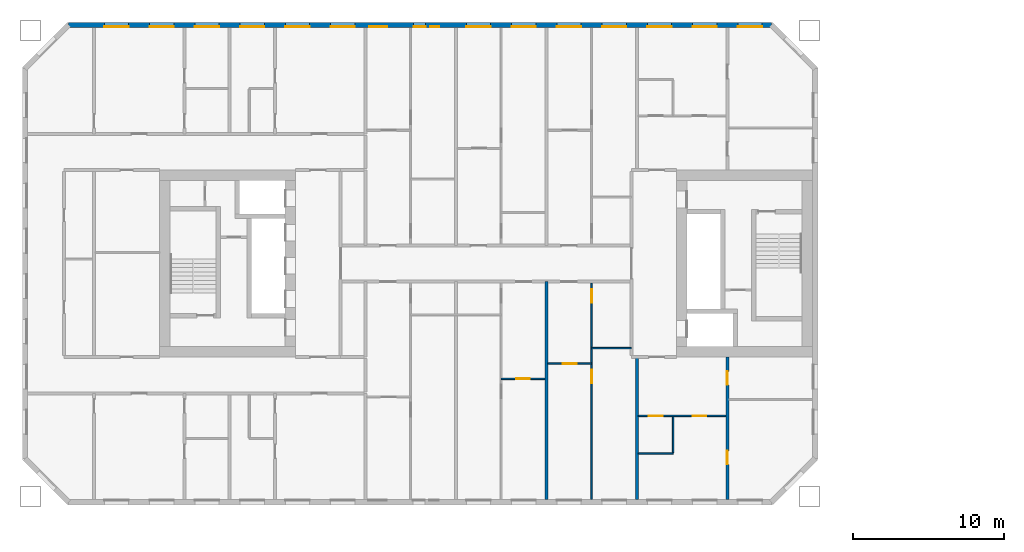
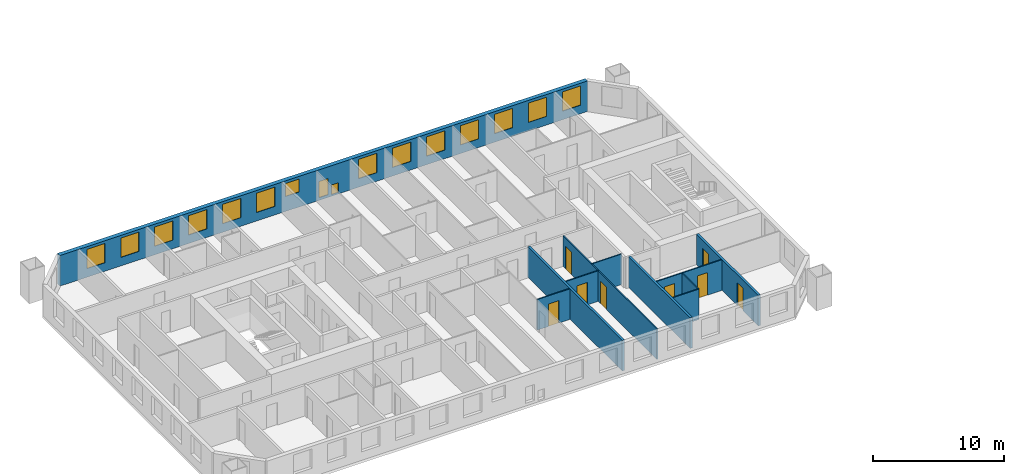
# One storey, part 6 of 16: 16 windows, 11 walls, 8 doors, 24 openings.
"""IFC4 building model written with IfcOpenShell, lengths in metres."""

from ifc_helpers import new_model, si_unit, direction, frame, frame_2d, origin, place, context, subcontext, project, spatial, rectangle, extrude, material, layer, layer_set, type_object, element, fill, save


model = new_model("IFC4")

# Units and contexts
model_context = context("Model", 3, precision=1e-05, world=origin(), true_north=direction((0.0, 1.0)))
body_context = subcontext(model_context, "Body", "Model", "MODEL_VIEW")
ifc_project = project(units=[si_unit("LENGTHUNIT", "METRE"), si_unit("AREAUNIT", "SQUARE_METRE"), si_unit("VOLUMEUNIT", "CUBIC_METRE"), si_unit("PLANEANGLEUNIT", "RADIAN"), si_unit("MASSUNIT", "GRAM", prefix="KILO")], contexts=[model_context])

# Site, building, storey
site_placement = place(None, origin())
site = spatial("IfcSite", under=ifc_project, at=site_placement, CompositionType="ELEMENT")
building_placement = place(site_placement, origin())
building = spatial("IfcBuilding", under=site, at=building_placement, Name="Tuart Gate Housing", CompositionType="ELEMENT")
storey_placement = place(building_placement, frame((0.0, 0.0, 87.10009765625)))
storey = spatial("IfcBuildingStorey", under=building, at=storey_placement, Name="L24", CompositionType="ELEMENT", Elevation=87.10009765625)

# Wall, openings, windows
ifc_material_1 = material(Name="Brick", Category="masonry")
ifc_layer_1 = layer(ifc_material_1, 0.360107421875)
ifc_layer_set_1 = layer_set([ifc_layer_1], Name="Brick pier and spandrel wall 360")
wall_type_1 = type_object("IfcWallType", Name="Brick pier and spandrel wall 360", PredefinedType="STANDARD", material=ifc_layer_set_1)
wall_1_placement = place(storey_placement, frame((72.92529296875, 85.820068359375, 0.0), z_axis=(0.0, 0.0, 1.0), x_axis=(-1.0, 0.0, 0.0)))
wall_1 = element("IfcWall", 1, at=wall_1_placement, inside=storey, type_object=wall_type_1, Name="External wall A-N L24", PredefinedType="STANDARD", context=body_context, shape_type="SweptSolid", body=[
    extrude(rectangle(XDim=46.600830078125, YDim=0.360107421875, at=frame_2d((23.30029296875, 0.0))), origin(), (0.0, 0.0, 1.0), 2.849853515625),
])
opening_1_placement = place(wall_1_placement, frame((0.62548828125, 0.0, 0.800048828125)))
opening_1 = element("IfcOpeningElement", 2, at=opening_1_placement, cuts=wall_1, Name="Opening W1", PredefinedType="OPENING", context=body_context, shape_type="SweptSolid", body=[
    extrude(rectangle(XDim=1.60009765625, YDim=1.800048828125, at=frame_2d((0.800048828125, 0.89990234375))), frame((0.0, 0.18994140625, 0.0), z_axis=(0.0, -1.0, 0.0), x_axis=(1.0, 0.0, 0.0)), (0.0, 0.0, 1.0), 0.380126953125),
])
opening_2_placement = place(wall_1_placement, frame((3.62548828125, 0.0, 0.800048828125)))
opening_2 = element("IfcOpeningElement", 3, at=opening_2_placement, cuts=wall_1, Name="Opening W1", PredefinedType="OPENING", context=body_context, shape_type="SweptSolid", body=[
    extrude(rectangle(XDim=1.60009765625, YDim=1.800048828125, at=frame_2d((0.800048828125, 0.89990234375))), frame((0.0, 0.18994140625, 0.0), z_axis=(0.0, -1.0, 0.0), x_axis=(1.0, 0.0, 0.0)), (0.0, 0.0, 1.0), 0.380126953125),
])
opening_3_placement = place(wall_1_placement, frame((6.62548828125, 0.0, 0.800048828125)))
opening_3 = element("IfcOpeningElement", 4, at=opening_3_placement, cuts=wall_1, Name="Opening W1", PredefinedType="OPENING", context=body_context, shape_type="SweptSolid", body=[
    extrude(rectangle(XDim=1.60009765625, YDim=1.800048828125, at=frame_2d((0.800048828125, 0.89990234375))), frame((0.0, 0.18994140625, 0.0), z_axis=(0.0, -1.0, 0.0), x_axis=(1.0, 0.0, 0.0)), (0.0, 0.0, 1.0), 0.380126953125),
])
opening_4_placement = place(wall_1_placement, frame((9.62548828125, 0.0, 0.800048828125)))
opening_4 = element("IfcOpeningElement", 5, at=opening_4_placement, cuts=wall_1, Name="Opening W1", PredefinedType="OPENING", context=body_context, shape_type="SweptSolid", body=[
    extrude(rectangle(XDim=1.60009765625, YDim=1.800048828125, at=frame_2d((0.800048828125, 0.89990234375))), frame((0.0, 0.18994140625, 0.0), z_axis=(0.0, -1.0, 0.0), x_axis=(1.0, 0.0, 0.0)), (0.0, 0.0, 1.0), 0.380126953125),
])
opening_5_placement = place(wall_1_placement, frame((12.62548828125, 0.0, 0.800048828125)))
opening_5 = element("IfcOpeningElement", 6, at=opening_5_placement, cuts=wall_1, Name="Opening W1", PredefinedType="OPENING", context=body_context, shape_type="SweptSolid", body=[
    extrude(rectangle(XDim=1.60009765625, YDim=1.800048828125, at=frame_2d((0.800048828125, 0.89990234375))), frame((0.0, 0.18994140625, 0.0), z_axis=(0.0, -1.0, 0.0), x_axis=(1.0, 0.0, 0.0)), (0.0, 0.0, 1.0), 0.380126953125),
])
opening_6_placement = place(wall_1_placement, frame((15.62548828125, 0.0, 0.800048828125)))
opening_6 = element("IfcOpeningElement", 7, at=opening_6_placement, cuts=wall_1, Name="Opening W1", PredefinedType="OPENING", context=body_context, shape_type="SweptSolid", body=[
    extrude(rectangle(XDim=1.60009765625, YDim=1.800048828125, at=frame_2d((0.800048828125, 0.89990234375))), frame((0.0, 0.18994140625, 0.0), z_axis=(0.0, -1.0, 0.0), x_axis=(1.0, 0.0, 0.0)), (0.0, 0.0, 1.0), 0.380126953125),
])
opening_7_placement = place(wall_1_placement, frame((18.62548828125, 0.0, 0.800048828125)))
opening_7 = element("IfcOpeningElement", 8, at=opening_7_placement, cuts=wall_1, Name="Opening W1", PredefinedType="OPENING", context=body_context, shape_type="SweptSolid", body=[
    extrude(rectangle(XDim=1.60009765625, YDim=1.800048828125, at=frame_2d((0.800048828125, 0.89990234375))), frame((0.0, 0.18994140625, 0.0), z_axis=(0.0, -1.0, 0.0), x_axis=(1.0, 0.0, 0.0)), (0.0, 0.0, 1.0), 0.380126953125),
])
opening_8_placement = place(wall_1_placement, frame((22.025390625, 0.0, 0.14990234375)))
opening_8 = element("IfcOpeningElement", 9, at=opening_8_placement, cuts=wall_1, Name="Opening W1W", PredefinedType="OPENING", context=body_context, shape_type="SweptSolid", body=[
    extrude(rectangle(XDim=0.60009765625, YDim=0.89990234375, at=frame_2d((0.300048828125, 0.449951171875))), frame((0.0, 0.18994140625, 0.0), z_axis=(0.0, -1.0, 0.0), x_axis=(1.0, 0.0, 0.0)), (0.0, 0.0, 1.0), 0.380126953125),
])
opening_9_placement = place(wall_1_placement, frame((25.475341796875, 0.0, 1.39990234375)))
opening_9 = element("IfcOpeningElement", 10, at=opening_9_placement, cuts=wall_1, Name="Opening W1N", PredefinedType="OPENING", context=body_context, shape_type="SweptSolid", body=[
    extrude(rectangle(XDim=1.199951171875, YDim=1.199951171875, at=frame_2d((0.60009765625, 0.60009765625))), frame((0.0, 0.18994140625, 0.0), z_axis=(0.0, -1.0, 0.0), x_axis=(1.0, 0.0, 0.0)), (0.0, 0.0, 1.0), 0.380126953125),
])
opening_10_placement = place(wall_1_placement, frame((27.62548828125, 0.0, 0.800048828125)))
opening_10 = element("IfcOpeningElement", 11, at=opening_10_placement, cuts=wall_1, Name="Opening W1", PredefinedType="OPENING", context=body_context, shape_type="SweptSolid", body=[
    extrude(rectangle(XDim=1.60009765625, YDim=1.800048828125, at=frame_2d((0.800048828125, 0.89990234375))), frame((0.0, 0.18994140625, 0.0), z_axis=(0.0, -1.0, 0.0), x_axis=(1.0, 0.0, 0.0)), (0.0, 0.0, 1.0), 0.380126953125),
])
opening_11_placement = place(wall_1_placement, frame((30.62548828125, 0.0, 0.800048828125)))
opening_11 = element("IfcOpeningElement", 12, at=opening_11_placement, cuts=wall_1, Name="Opening W1", PredefinedType="OPENING", context=body_context, shape_type="SweptSolid", body=[
    extrude(rectangle(XDim=1.60009765625, YDim=1.800048828125, at=frame_2d((0.800048828125, 0.89990234375))), frame((0.0, 0.18994140625, 0.0), z_axis=(0.0, -1.0, 0.0), x_axis=(1.0, 0.0, 0.0)), (0.0, 0.0, 1.0), 0.380126953125),
])
opening_12_placement = place(wall_1_placement, frame((33.62548828125, 0.0, 0.800048828125)))
opening_12 = element("IfcOpeningElement", 13, at=opening_12_placement, cuts=wall_1, Name="Opening W1", PredefinedType="OPENING", context=body_context, shape_type="SweptSolid", body=[
    extrude(rectangle(XDim=1.60009765625, YDim=1.800048828125, at=frame_2d((0.800048828125, 0.89990234375))), frame((0.0, 0.18994140625, 0.0), z_axis=(0.0, -1.0, 0.0), x_axis=(1.0, 0.0, 0.0)), (0.0, 0.0, 1.0), 0.380126953125),
])
opening_13_placement = place(wall_1_placement, frame((36.62548828125, 0.0, 0.800048828125)))
opening_13 = element("IfcOpeningElement", 14, at=opening_13_placement, cuts=wall_1, Name="Opening W1", PredefinedType="OPENING", context=body_context, shape_type="SweptSolid", body=[
    extrude(rectangle(XDim=1.60009765625, YDim=1.800048828125, at=frame_2d((0.800048828125, 0.89990234375))), frame((0.0, 0.18994140625, 0.0), z_axis=(0.0, -1.0, 0.0), x_axis=(1.0, 0.0, 0.0)), (0.0, 0.0, 1.0), 0.380126953125),
])
opening_14_placement = place(wall_1_placement, frame((39.62548828125, 0.0, 0.800048828125)))
opening_14 = element("IfcOpeningElement", 15, at=opening_14_placement, cuts=wall_1, Name="Opening W1", PredefinedType="OPENING", context=body_context, shape_type="SweptSolid", body=[
    extrude(rectangle(XDim=1.60009765625, YDim=1.800048828125, at=frame_2d((0.800048828125, 0.89990234375))), frame((0.0, 0.18994140625, 0.0), z_axis=(0.0, -1.0, 0.0), x_axis=(1.0, 0.0, 0.0)), (0.0, 0.0, 1.0), 0.380126953125),
])
opening_15_placement = place(wall_1_placement, frame((42.62548828125, 0.0, 0.800048828125)))
opening_15 = element("IfcOpeningElement", 16, at=opening_15_placement, cuts=wall_1, Name="Opening W1", PredefinedType="OPENING", context=body_context, shape_type="SweptSolid", body=[
    extrude(rectangle(XDim=1.60009765625, YDim=1.800048828125, at=frame_2d((0.800048828125, 0.89990234375))), frame((0.0, 0.18994140625, 0.0), z_axis=(0.0, -1.0, 0.0), x_axis=(1.0, 0.0, 0.0)), (0.0, 0.0, 1.0), 0.380126953125),
])
opening_16_placement = place(wall_1_placement, frame((22.92529296875, 0.0, 0.25)))
opening_16 = element("IfcOpeningElement", 17, at=opening_16_placement, cuts=wall_1, Name="Opening W1J", PredefinedType="OPENING", context=body_context, shape_type="SweptSolid", body=[
    extrude(rectangle(XDim=0.800048828125, YDim=1.5, at=frame_2d((0.39990234375, 0.75))), frame((0.0, 0.18994140625, 0.0), z_axis=(0.0, -1.0, 0.0), x_axis=(1.0, 0.0, 0.0)), (0.0, 0.0, 1.0), 0.380126953125),
])
ifc_material_2 = material(Name="Aluminium frame with clear glass", Category="aluminium")
window_type_1 = type_object("IfcWindowType", Name="Punched window 1200 x 1200", PartitioningType="SINGLE_PANEL", PredefinedType="WINDOW", material=ifc_material_2)
window_1_placement = place(opening_9_placement, origin())
window_1 = element("IfcWindow", 18, at=window_1_placement, inside=storey, type_object=window_type_1, Name="Window W1N", OverallHeight=1.199951171875, OverallWidth=1.199951171875, PartitioningType="SINGLE_PANEL", PredefinedType="WINDOW", context=body_context, shape_type="SweptSolid", body=[
    extrude(rectangle(XDim=1.199951171875, YDim=1.199951171875, at=frame_2d((0.60009765625, 0.60009765625))), frame((0.0, 0.150146484375, 0.0), z_axis=(0.0, -1.0, 0.0), x_axis=(1.0, 0.0, 0.0)), (0.0, 0.0, 1.0), 0.06005859375),
])
fill(opening_9, window_1)
ifc_material_3 = material(Name="Aluminium frame with clear glass", Category="aluminium")
window_type_2 = type_object("IfcWindowType", Name="Punched window 1600 x 1800", PartitioningType="SINGLE_PANEL", PredefinedType="WINDOW", material=ifc_material_3)
window_2_placement = place(opening_1_placement, origin())
window_2 = element("IfcWindow", 19, at=window_2_placement, inside=storey, type_object=window_type_2, Name="Window W1", OverallHeight=1.800048828125, OverallWidth=1.60009765625, PartitioningType="SINGLE_PANEL", PredefinedType="WINDOW", context=body_context, shape_type="SweptSolid", body=[
    extrude(rectangle(XDim=1.60009765625, YDim=1.800048828125, at=frame_2d((0.800048828125, 0.89990234375))), frame((0.0, 0.150146484375, 0.0), z_axis=(0.0, -1.0, 0.0), x_axis=(1.0, 0.0, 0.0)), (0.0, 0.0, 1.0), 0.06005859375),
])
fill(opening_1, window_2)
window_3_placement = place(opening_2_placement, origin())
window_3 = element("IfcWindow", 20, at=window_3_placement, inside=storey, type_object=window_type_2, Name="Window W1", OverallHeight=1.800048828125, OverallWidth=1.60009765625, PartitioningType="SINGLE_PANEL", PredefinedType="WINDOW", context=body_context, shape_type="SweptSolid", body=[
    extrude(rectangle(XDim=1.60009765625, YDim=1.800048828125, at=frame_2d((0.800048828125, 0.89990234375))), frame((0.0, 0.150146484375, 0.0), z_axis=(0.0, -1.0, 0.0), x_axis=(1.0, 0.0, 0.0)), (0.0, 0.0, 1.0), 0.06005859375),
])
fill(opening_2, window_3)
window_4_placement = place(opening_3_placement, origin())
window_4 = element("IfcWindow", 21, at=window_4_placement, inside=storey, type_object=window_type_2, Name="Window W1", OverallHeight=1.800048828125, OverallWidth=1.60009765625, PartitioningType="SINGLE_PANEL", PredefinedType="WINDOW", context=body_context, shape_type="SweptSolid", body=[
    extrude(rectangle(XDim=1.60009765625, YDim=1.800048828125, at=frame_2d((0.800048828125, 0.89990234375))), frame((0.0, 0.150146484375, 0.0), z_axis=(0.0, -1.0, 0.0), x_axis=(1.0, 0.0, 0.0)), (0.0, 0.0, 1.0), 0.06005859375),
])
fill(opening_3, window_4)
window_5_placement = place(opening_4_placement, origin())
window_5 = element("IfcWindow", 22, at=window_5_placement, inside=storey, type_object=window_type_2, Name="Window W1", OverallHeight=1.800048828125, OverallWidth=1.60009765625, PartitioningType="SINGLE_PANEL", PredefinedType="WINDOW", context=body_context, shape_type="SweptSolid", body=[
    extrude(rectangle(XDim=1.60009765625, YDim=1.800048828125, at=frame_2d((0.800048828125, 0.89990234375))), frame((0.0, 0.150146484375, 0.0), z_axis=(0.0, -1.0, 0.0), x_axis=(1.0, 0.0, 0.0)), (0.0, 0.0, 1.0), 0.06005859375),
])
fill(opening_4, window_5)
window_6_placement = place(opening_5_placement, origin())
window_6 = element("IfcWindow", 23, at=window_6_placement, inside=storey, type_object=window_type_2, Name="Window W1", OverallHeight=1.800048828125, OverallWidth=1.60009765625, PartitioningType="SINGLE_PANEL", PredefinedType="WINDOW", context=body_context, shape_type="SweptSolid", body=[
    extrude(rectangle(XDim=1.60009765625, YDim=1.800048828125, at=frame_2d((0.800048828125, 0.89990234375))), frame((0.0, 0.150146484375, 0.0), z_axis=(0.0, -1.0, 0.0), x_axis=(1.0, 0.0, 0.0)), (0.0, 0.0, 1.0), 0.06005859375),
])
fill(opening_5, window_6)
window_7_placement = place(opening_6_placement, origin())
window_7 = element("IfcWindow", 24, at=window_7_placement, inside=storey, type_object=window_type_2, Name="Window W1", OverallHeight=1.800048828125, OverallWidth=1.60009765625, PartitioningType="SINGLE_PANEL", PredefinedType="WINDOW", context=body_context, shape_type="SweptSolid", body=[
    extrude(rectangle(XDim=1.60009765625, YDim=1.800048828125, at=frame_2d((0.800048828125, 0.89990234375))), frame((0.0, 0.150146484375, 0.0), z_axis=(0.0, -1.0, 0.0), x_axis=(1.0, 0.0, 0.0)), (0.0, 0.0, 1.0), 0.06005859375),
])
fill(opening_6, window_7)
window_8_placement = place(opening_7_placement, origin())
window_8 = element("IfcWindow", 25, at=window_8_placement, inside=storey, type_object=window_type_2, Name="Window W1", OverallHeight=1.800048828125, OverallWidth=1.60009765625, PartitioningType="SINGLE_PANEL", PredefinedType="WINDOW", context=body_context, shape_type="SweptSolid", body=[
    extrude(rectangle(XDim=1.60009765625, YDim=1.800048828125, at=frame_2d((0.800048828125, 0.89990234375))), frame((0.0, 0.150146484375, 0.0), z_axis=(0.0, -1.0, 0.0), x_axis=(1.0, 0.0, 0.0)), (0.0, 0.0, 1.0), 0.06005859375),
])
fill(opening_7, window_8)
window_9_placement = place(opening_10_placement, origin())
window_9 = element("IfcWindow", 26, at=window_9_placement, inside=storey, type_object=window_type_2, Name="Window W1", OverallHeight=1.800048828125, OverallWidth=1.60009765625, PartitioningType="SINGLE_PANEL", PredefinedType="WINDOW", context=body_context, shape_type="SweptSolid", body=[
    extrude(rectangle(XDim=1.60009765625, YDim=1.800048828125, at=frame_2d((0.800048828125, 0.89990234375))), frame((0.0, 0.150146484375, 0.0), z_axis=(0.0, -1.0, 0.0), x_axis=(1.0, 0.0, 0.0)), (0.0, 0.0, 1.0), 0.06005859375),
])
fill(opening_10, window_9)
window_10_placement = place(opening_11_placement, origin())
window_10 = element("IfcWindow", 27, at=window_10_placement, inside=storey, type_object=window_type_2, Name="Window W1", OverallHeight=1.800048828125, OverallWidth=1.60009765625, PartitioningType="SINGLE_PANEL", PredefinedType="WINDOW", context=body_context, shape_type="SweptSolid", body=[
    extrude(rectangle(XDim=1.60009765625, YDim=1.800048828125, at=frame_2d((0.800048828125, 0.89990234375))), frame((0.0, 0.150146484375, 0.0), z_axis=(0.0, -1.0, 0.0), x_axis=(1.0, 0.0, 0.0)), (0.0, 0.0, 1.0), 0.06005859375),
])
fill(opening_11, window_10)
window_11_placement = place(opening_12_placement, origin())
window_11 = element("IfcWindow", 28, at=window_11_placement, inside=storey, type_object=window_type_2, Name="Window W1", OverallHeight=1.800048828125, OverallWidth=1.60009765625, PartitioningType="SINGLE_PANEL", PredefinedType="WINDOW", context=body_context, shape_type="SweptSolid", body=[
    extrude(rectangle(XDim=1.60009765625, YDim=1.800048828125, at=frame_2d((0.800048828125, 0.89990234375))), frame((0.0, 0.150146484375, 0.0), z_axis=(0.0, -1.0, 0.0), x_axis=(1.0, 0.0, 0.0)), (0.0, 0.0, 1.0), 0.06005859375),
])
fill(opening_12, window_11)
window_12_placement = place(opening_13_placement, origin())
window_12 = element("IfcWindow", 29, at=window_12_placement, inside=storey, type_object=window_type_2, Name="Window W1", OverallHeight=1.800048828125, OverallWidth=1.60009765625, PartitioningType="SINGLE_PANEL", PredefinedType="WINDOW", context=body_context, shape_type="SweptSolid", body=[
    extrude(rectangle(XDim=1.60009765625, YDim=1.800048828125, at=frame_2d((0.800048828125, 0.89990234375))), frame((0.0, 0.150146484375, 0.0), z_axis=(0.0, -1.0, 0.0), x_axis=(1.0, 0.0, 0.0)), (0.0, 0.0, 1.0), 0.06005859375),
])
fill(opening_13, window_12)
window_13_placement = place(opening_14_placement, origin())
window_13 = element("IfcWindow", 30, at=window_13_placement, inside=storey, type_object=window_type_2, Name="Window W1", OverallHeight=1.800048828125, OverallWidth=1.60009765625, PartitioningType="SINGLE_PANEL", PredefinedType="WINDOW", context=body_context, shape_type="SweptSolid", body=[
    extrude(rectangle(XDim=1.60009765625, YDim=1.800048828125, at=frame_2d((0.800048828125, 0.89990234375))), frame((0.0, 0.150146484375, 0.0), z_axis=(0.0, -1.0, 0.0), x_axis=(1.0, 0.0, 0.0)), (0.0, 0.0, 1.0), 0.06005859375),
])
fill(opening_14, window_13)
window_14_placement = place(opening_15_placement, origin())
window_14 = element("IfcWindow", 31, at=window_14_placement, inside=storey, type_object=window_type_2, Name="Window W1", OverallHeight=1.800048828125, OverallWidth=1.60009765625, PartitioningType="SINGLE_PANEL", PredefinedType="WINDOW", context=body_context, shape_type="SweptSolid", body=[
    extrude(rectangle(XDim=1.60009765625, YDim=1.800048828125, at=frame_2d((0.800048828125, 0.89990234375))), frame((0.0, 0.150146484375, 0.0), z_axis=(0.0, -1.0, 0.0), x_axis=(1.0, 0.0, 0.0)), (0.0, 0.0, 1.0), 0.06005859375),
])
fill(opening_15, window_14)
ifc_material_4 = material(Name="Aluminium frame with clear glass", Category="aluminium")
window_type_3 = type_object("IfcWindowType", Name="Punched window 600 x 900", PartitioningType="SINGLE_PANEL", PredefinedType="WINDOW", material=ifc_material_4)
window_15_placement = place(opening_8_placement, origin())
window_15 = element("IfcWindow", 32, at=window_15_placement, inside=storey, type_object=window_type_3, Name="Window W1W", OverallHeight=0.89990234375, OverallWidth=0.60009765625, PartitioningType="SINGLE_PANEL", PredefinedType="WINDOW", context=body_context, shape_type="SweptSolid", body=[
    extrude(rectangle(XDim=0.60009765625, YDim=0.89990234375, at=frame_2d((0.300048828125, 0.449951171875))), frame((0.0, 0.150146484375, 0.0), z_axis=(0.0, -1.0, 0.0), x_axis=(1.0, 0.0, 0.0)), (0.0, 0.0, 1.0), 0.06005859375),
])
fill(opening_8, window_15)
ifc_material_5 = material(Name="Aluminium frame with clear glass", Category="aluminium")
window_type_4 = type_object("IfcWindowType", Name="Punched window 800 x 1500", PartitioningType="SINGLE_PANEL", PredefinedType="WINDOW", material=ifc_material_5)
window_16_placement = place(opening_16_placement, origin())
window_16 = element("IfcWindow", 33, at=window_16_placement, inside=storey, type_object=window_type_4, Name="Window W1J", OverallHeight=1.5, OverallWidth=0.800048828125, PartitioningType="SINGLE_PANEL", PredefinedType="WINDOW", context=body_context, shape_type="SweptSolid", body=[
    extrude(rectangle(XDim=0.800048828125, YDim=1.5, at=frame_2d((0.39990234375, 0.75))), frame((0.0, 0.150146484375, 0.0), z_axis=(0.0, -1.0, 0.0), x_axis=(1.0, 0.0, 0.0)), (0.0, 0.0, 1.0), 0.06005859375),
])
fill(opening_16, window_16)

# Wall
ifc_material_6 = material(Name="Gypsum board on steel studs", Category="steel")
ifc_layer_2 = layer(ifc_material_6, 0.10009765625)
ifc_layer_set_2 = layer_set([ifc_layer_2], Name="Partition 100")
wall_type_2 = type_object("IfcWallType", Name="Partition 100", PredefinedType="PARTITIONING", material=ifc_layer_set_2)
wall_2_placement = place(storey_placement, frame((64.10009765625, 57.39990234375, 0.0), z_axis=(0.0, 0.0, 1.0), x_axis=(1.0, 0.0, 0.0)))
element("IfcWall", 34, at=wall_2_placement, inside=storey, type_object=wall_type_2, Name="Partition 100", PredefinedType="PARTITIONING", context=body_context, shape_type="SweptSolid", body=[
    extrude(rectangle(XDim=2.2998046875, YDim=0.10009765625, at=frame_2d((1.14990234375, 0.0))), origin(), (0.0, 0.0, 1.0), 2.849853515625),
])

# Wall, openings, doors
wall_3_placement = place(storey_placement, frame((64.10009765625, 59.89990234375, 0.0), z_axis=(0.0, 0.0, 1.0), x_axis=(1.0, 0.0, 0.0)))
wall_3 = element("IfcWall", 35, at=wall_3_placement, inside=storey, type_object=wall_type_2, Name="Partition 100", PredefinedType="PARTITIONING", context=body_context, shape_type="SweptSolid", body=[
    extrude(rectangle(XDim=5.7998046875, YDim=0.10009765625, at=frame_2d((2.89990234375, 0.0))), origin(), (0.0, 0.0, 1.0), 2.849853515625),
])
opening_17_placement = place(wall_3_placement, frame((3.60009765625, 0.0, 0.0)))
opening_17 = element("IfcOpeningElement", 36, at=opening_17_placement, cuts=wall_3, Name="Opening D1005", PredefinedType="OPENING", context=body_context, shape_type="SweptSolid", body=[
    extrude(rectangle(XDim=0.89990234375, YDim=2.10009765625, at=frame_2d((0.449951171875, 1.050048828125))), frame((0.0, 0.06005859375, 0.0), z_axis=(0.0, -1.0, 0.0), x_axis=(1.0, 0.0, 0.0)), (0.0, 0.0, 1.0), 0.1201171875),
])
opening_18_placement = place(wall_3_placement, frame((0.699951171875, 0.0, 0.0)))
opening_18 = element("IfcOpeningElement", 37, at=opening_18_placement, cuts=wall_3, Name="Opening D1004", PredefinedType="OPENING", context=body_context, shape_type="SweptSolid", body=[
    extrude(rectangle(XDim=0.89990234375, YDim=2.10009765625, at=frame_2d((0.449951171875, 1.050048828125))), frame((0.0, 0.06005859375, 0.0), z_axis=(0.0, -1.0, 0.0), x_axis=(1.0, 0.0, 0.0)), (0.0, 0.0, 1.0), 0.1201171875),
])
ifc_material_7 = material(Name="Timber door leaf in steel frame", Category="steel")
door_type_1 = type_object("IfcDoorType", Name="Bathroom door 900", OperationType="SINGLE_SWING_LEFT", PredefinedType="DOOR", material=ifc_material_7)
door_1_placement = place(opening_18_placement, frame((0.89990234375, 0.0, 0.0), z_axis=(0.0, 0.0, 1.0), x_axis=(-1.0, 0.0, 0.0)))
door_1 = element("IfcDoor", 38, at=door_1_placement, inside=storey, type_object=door_type_1, Name="Bathroom door", OperationType="SINGLE_SWING_LEFT", OverallHeight=2.10009765625, OverallWidth=0.89990234375, PredefinedType="DOOR", context=body_context, shape_type="SweptSolid", body=[
    extrude(rectangle(XDim=0.89990234375, YDim=2.10009765625, at=frame_2d((0.449951171875, 1.050048828125))), frame((0.0, 0.025146484375, 0.0), z_axis=(0.0, -1.0, 0.0), x_axis=(1.0, 0.0, 0.0)), (0.0, 0.0, 1.0), 0.050048828125),
])
fill(opening_18, door_1)
ifc_material_8 = material(Name="Timber door leaf in steel frame", Category="steel")
door_type_2 = type_object("IfcDoorType", Name="Internal door 900 RH", OperationType="SINGLE_SWING_RIGHT", PredefinedType="DOOR", material=ifc_material_8)
door_2_placement = place(opening_17_placement, origin())
door_2 = element("IfcDoor", 39, at=door_2_placement, inside=storey, type_object=door_type_2, Name="Internal door", OperationType="SINGLE_SWING_RIGHT", OverallHeight=2.10009765625, OverallWidth=0.89990234375, PredefinedType="DOOR", context=body_context, shape_type="SweptSolid", body=[
    extrude(rectangle(XDim=0.89990234375, YDim=2.10009765625, at=frame_2d((0.449951171875, 1.050048828125))), frame((0.0, 0.02490234375, 0.0), z_axis=(0.0, -1.0, 0.0), x_axis=(1.0, 0.0, 0.0)), (0.0, 0.0, 1.0), 0.050048828125),
])
fill(opening_17, door_2)

# Wall, opening, door
wall_4_placement = place(storey_placement, frame((55.0, 62.360107421875, 0.0), z_axis=(0.0, 0.0, 1.0), x_axis=(1.0, 0.0, 0.0)))
wall_4 = element("IfcWall", 40, at=wall_4_placement, inside=storey, type_object=wall_type_2, Name="Partition 100", PredefinedType="PARTITIONING", context=body_context, shape_type="SweptSolid", body=[
    extrude(rectangle(XDim=2.89990234375, YDim=0.10009765625, at=frame_2d((1.449951171875, 0.0))), origin(), (0.0, 0.0, 1.0), 2.849853515625),
])
opening_19_placement = place(wall_4_placement, frame((1.0, 0.0, 0.0)))
opening_19 = element("IfcOpeningElement", 41, at=opening_19_placement, cuts=wall_4, Name="Opening D994", PredefinedType="OPENING", context=body_context, shape_type="SweptSolid", body=[
    extrude(rectangle(XDim=0.89990234375, YDim=2.10009765625, at=frame_2d((0.449951171875, 1.050048828125))), frame((0.0, 0.06005859375, 0.0), z_axis=(0.0, -1.0, 0.0), x_axis=(1.0, 0.0, 0.0)), (0.0, 0.0, 1.0), 0.1201171875),
])
ifc_material_9 = material(Name="Timber door leaf in steel frame", Category="steel")
door_type_3 = type_object("IfcDoorType", Name="Internal door 900", OperationType="SINGLE_SWING_LEFT", PredefinedType="DOOR", material=ifc_material_9)
door_3_placement = place(opening_19_placement, origin())
door_3 = element("IfcDoor", 42, at=door_3_placement, inside=storey, type_object=door_type_3, Name="Internal door", OperationType="SINGLE_SWING_LEFT", OverallHeight=2.10009765625, OverallWidth=0.89990234375, PredefinedType="DOOR", context=body_context, shape_type="SweptSolid", body=[
    extrude(rectangle(XDim=0.89990234375, YDim=2.10009765625, at=frame_2d((0.449951171875, 1.050048828125))), frame((0.0, 0.02490234375, 0.0), z_axis=(0.0, -1.0, 0.0), x_axis=(1.0, 0.0, 0.0)), (0.0, 0.0, 1.0), 0.050048828125),
])
fill(opening_19, door_3)

wall_5_placement = place(storey_placement, frame((58.10009765625, 63.360107421875, 0.0), z_axis=(0.0, 0.0, 1.0), x_axis=(1.0, 0.0, 0.0)))
wall_5 = element("IfcWall", 43, at=wall_5_placement, inside=storey, type_object=wall_type_2, Name="Partition 100", PredefinedType="PARTITIONING", context=body_context, shape_type="SweptSolid", body=[
    extrude(rectangle(XDim=2.89990234375, YDim=0.10009765625, at=frame_2d((1.449951171875, 0.0))), origin(), (0.0, 0.0, 1.0), 2.849853515625),
])
opening_20_placement = place(wall_5_placement, frame((1.0, 0.0, 0.0)))
opening_20 = element("IfcOpeningElement", 44, at=opening_20_placement, cuts=wall_5, Name="Opening D993", PredefinedType="OPENING", context=body_context, shape_type="SweptSolid", body=[
    extrude(rectangle(XDim=0.89990234375, YDim=2.10009765625, at=frame_2d((0.449951171875, 1.050048828125))), frame((0.0, 0.06005859375, 0.0), z_axis=(0.0, -1.0, 0.0), x_axis=(1.0, 0.0, 0.0)), (0.0, 0.0, 1.0), 0.1201171875),
])
door_4_placement = place(opening_20_placement, origin())
door_4 = element("IfcDoor", 45, at=door_4_placement, inside=storey, type_object=door_type_2, Name="Internal door", OperationType="SINGLE_SWING_RIGHT", OverallHeight=2.10009765625, OverallWidth=0.89990234375, PredefinedType="DOOR", context=body_context, shape_type="SweptSolid", body=[
    extrude(rectangle(XDim=0.89990234375, YDim=2.10009765625, at=frame_2d((0.449951171875, 1.050048828125))), frame((0.0, 0.02490234375, 0.0), z_axis=(0.0, -1.0, 0.0), x_axis=(1.0, 0.0, 0.0)), (0.0, 0.0, 1.0), 0.050048828125),
])
fill(opening_20, door_4)

# Wall
wall_6_placement = place(storey_placement, frame((61.0, 64.39990234375, 0.0), z_axis=(0.0, 0.0, 1.0), x_axis=(1.0, 0.0, 0.0)))
element("IfcWall", 46, at=wall_6_placement, inside=storey, type_object=wall_type_2, Name="Partition 100", PredefinedType="PARTITIONING", context=body_context, shape_type="SweptSolid", body=[
    extrude(rectangle(XDim=2.639892578125, YDim=0.10009765625, at=frame_2d((1.31982421875, 0.0))), origin(), (0.0, 0.0, 1.0), 2.849853515625),
])

# Wall, openings, doors
wall_7_placement = place(storey_placement, frame((61.0, 54.360107421875, 0.0), z_axis=(0.0, 0.0, 1.0), x_axis=(0.0, 1.0, 0.0)))
wall_7 = element("IfcWall", 47, at=wall_7_placement, inside=storey, type_object=wall_type_2, Name="Partition 100", PredefinedType="PARTITIONING", context=body_context, shape_type="SweptSolid", body=[
    extrude(rectangle(XDim=14.33984375, YDim=0.10009765625, at=frame_2d((7.169921875, 0.0))), origin(), (0.0, 0.0, 1.0), 2.849853515625),
])
opening_21_placement = place(wall_7_placement, frame((7.699951171875, 0.0, 0.0)))
opening_21 = element("IfcOpeningElement", 48, at=opening_21_placement, cuts=wall_7, Name="Opening D1000", PredefinedType="OPENING", context=body_context, shape_type="SweptSolid", body=[
    extrude(rectangle(XDim=0.89990234375, YDim=2.10009765625, at=frame_2d((0.449951171875, 1.050048828125))), frame((0.0, 0.06005859375, 0.0), z_axis=(0.0, -1.0, 0.0), x_axis=(1.0, 0.0, 0.0)), (0.0, 0.0, 1.0), 0.1201171875),
])
opening_22_placement = place(wall_7_placement, frame((13.0400390625, 0.0, 0.0)))
opening_22 = element("IfcOpeningElement", 49, at=opening_22_placement, cuts=wall_7, Name="Opening D999", PredefinedType="OPENING", context=body_context, shape_type="SweptSolid", body=[
    extrude(rectangle(XDim=0.89990234375, YDim=2.10009765625, at=frame_2d((0.449951171875, 1.050048828125))), frame((0.0, 0.06005859375, 0.0), z_axis=(0.0, -1.0, 0.0), x_axis=(1.0, 0.0, 0.0)), (0.0, 0.0, 1.0), 0.1201171875),
])
door_5_placement = place(opening_22_placement, frame((0.89990234375, 0.0, 0.0), z_axis=(0.0, 0.0, 1.0), x_axis=(-1.0, 0.0, 0.0)))
door_5 = element("IfcDoor", 50, at=door_5_placement, inside=storey, type_object=door_type_1, Name="Bathroom door", OperationType="SINGLE_SWING_LEFT", OverallHeight=2.10009765625, OverallWidth=0.89990234375, PredefinedType="DOOR", context=body_context, shape_type="SweptSolid", body=[
    extrude(rectangle(XDim=0.89990234375, YDim=2.10009765625, at=frame_2d((0.449951171875, 1.050048828125))), frame((0.0, 0.025146484375, 0.0), z_axis=(0.0, -1.0, 0.0), x_axis=(1.0, 0.0, 0.0)), (0.0, 0.0, 1.0), 0.050048828125),
])
fill(opening_22, door_5)
door_6_placement = place(opening_21_placement, frame((0.89990234375, 0.0, 0.0), z_axis=(0.0, 0.0, 1.0), x_axis=(-1.0, 0.0, 0.0)))
door_6 = element("IfcDoor", 51, at=door_6_placement, inside=storey, type_object=door_type_3, Name="Internal door", OperationType="SINGLE_SWING_LEFT", OverallHeight=2.10009765625, OverallWidth=0.89990234375, PredefinedType="DOOR", context=body_context, shape_type="SweptSolid", body=[
    extrude(rectangle(XDim=0.89990234375, YDim=2.10009765625, at=frame_2d((0.449951171875, 1.050048828125))), frame((0.0, 0.025146484375, 0.0), z_axis=(0.0, -1.0, 0.0), x_axis=(1.0, 0.0, 0.0)), (0.0, 0.0, 1.0), 0.050048828125),
])
fill(opening_21, door_6)

# Walls
wall_8_placement = place(storey_placement, frame((66.39990234375, 57.449951171875, 0.0), z_axis=(0.0, 0.0, 1.0), x_axis=(0.0, 1.0, 0.0)))
element("IfcWall", 52, at=wall_8_placement, inside=storey, type_object=wall_type_2, Name="Partition 100", PredefinedType="PARTITIONING", context=body_context, shape_type="SweptSolid", body=[
    extrude(rectangle(XDim=2.400146484375, YDim=0.10009765625, at=frame_2d((1.2001953125, 0.0))), origin(), (0.0, 0.0, 1.0), 2.849853515625),
])
ifc_material_10 = material(Name="Concrete C40", Category="concrete")
ifc_layer_3 = layer(ifc_material_10, 0.199951171875)
ifc_layer_set_3 = layer_set([ifc_layer_3], Name="Party wall concrete C40 200")
wall_type_3 = type_object("IfcWallType", Name="Party wall concrete C40 200", PredefinedType="SOLIDWALL", material=ifc_layer_set_3)
wall_9_placement = place(storey_placement, frame((58.0, 54.360107421875, 0.0), z_axis=(0.0, 0.0, 1.0), x_axis=(0.0, 1.0, 0.0)))
element("IfcWall", 53, at=wall_9_placement, inside=storey, type_object=wall_type_3, Name="Party wall concrete C40 200", PredefinedType="SOLIDWALL", context=body_context, shape_type="SweptSolid", body=[
    extrude(rectangle(XDim=14.43994140625, YDim=0.199951171875, at=frame_2d((7.219970703125, 0.0))), origin(), (0.0, 0.0, 1.0), 2.849853515625),
])
wall_10_placement = place(storey_placement, frame((64.0, 54.360107421875, 0.0), z_axis=(0.0, 0.0, 1.0), x_axis=(0.0, 1.0, 0.0)))
element("IfcWall", 54, at=wall_10_placement, inside=storey, type_object=wall_type_3, Name="Party wall concrete C40 200", PredefinedType="SOLIDWALL", context=body_context, shape_type="SweptSolid", body=[
    extrude(rectangle(XDim=9.43994140625, YDim=0.199951171875, at=frame_2d((4.719970703125, 0.0))), origin(), (0.0, 0.0, 1.0), 2.849853515625),
])

# Wall, openings, doors
wall_11_placement = place(storey_placement, frame((70.0, 54.360107421875, 0.0), z_axis=(0.0, 0.0, 1.0), x_axis=(0.0, 1.0, 0.0)))
wall_11 = element("IfcWall", 55, at=wall_11_placement, inside=storey, type_object=wall_type_3, Name="Party wall concrete C40 200", PredefinedType="SOLIDWALL", context=body_context, shape_type="SweptSolid", body=[
    extrude(rectangle(XDim=9.43994140625, YDim=0.199951171875, at=frame_2d((4.719970703125, 0.0))), origin(), (0.0, 0.0, 1.0), 2.849853515625),
])
opening_23_placement = place(wall_11_placement, frame((2.320068359375, 0.0, 0.0)))
opening_23 = element("IfcOpeningElement", 56, at=opening_23_placement, cuts=wall_11, Name="Opening D1006", PredefinedType="OPENING", context=body_context, shape_type="SweptSolid", body=[
    extrude(rectangle(XDim=0.89990234375, YDim=2.10009765625, at=frame_2d((0.449951171875, 1.050048828125))), frame((0.0, 0.10986328125, 0.0), z_axis=(0.0, -1.0, 0.0), x_axis=(1.0, 0.0, 0.0)), (0.0, 0.0, 1.0), 0.219970703125),
])
opening_24_placement = place(wall_11_placement, frame((7.590087890625, 0.0, 0.0)))
opening_24 = element("IfcOpeningElement", 57, at=opening_24_placement, cuts=wall_11, Name="Opening D1007", PredefinedType="OPENING", context=body_context, shape_type="SweptSolid", body=[
    extrude(rectangle(XDim=0.89990234375, YDim=2.10009765625, at=frame_2d((0.449951171875, 1.050048828125))), frame((0.0, 0.10986328125, 0.0), z_axis=(0.0, -1.0, 0.0), x_axis=(1.0, 0.0, 0.0)), (0.0, 0.0, 1.0), 0.219970703125),
])
door_7_placement = place(opening_23_placement, frame((0.89990234375, 0.0, 0.0), z_axis=(0.0, 0.0, 1.0), x_axis=(-1.0, 0.0, 0.0)))
door_7 = element("IfcDoor", 58, at=door_7_placement, inside=storey, type_object=door_type_2, Name="Internal door", OperationType="SINGLE_SWING_RIGHT", OverallHeight=2.10009765625, OverallWidth=0.89990234375, PredefinedType="DOOR", context=body_context, shape_type="SweptSolid", body=[
    extrude(rectangle(XDim=0.89990234375, YDim=2.10009765625, at=frame_2d((0.449951171875, 1.050048828125))), frame((0.0, 0.025146484375, 0.0), z_axis=(0.0, -1.0, 0.0), x_axis=(1.0, 0.0, 0.0)), (0.0, 0.0, 1.0), 0.050048828125),
])
fill(opening_23, door_7)
door_8_placement = place(opening_24_placement, frame((0.89990234375, 0.0, 0.0), z_axis=(0.0, 0.0, 1.0), x_axis=(-1.0, 0.0, 0.0)))
door_8 = element("IfcDoor", 59, at=door_8_placement, inside=storey, type_object=door_type_2, Name="Internal door", OperationType="SINGLE_SWING_RIGHT", OverallHeight=2.10009765625, OverallWidth=0.89990234375, PredefinedType="DOOR", context=body_context, shape_type="SweptSolid", body=[
    extrude(rectangle(XDim=0.89990234375, YDim=2.10009765625, at=frame_2d((0.449951171875, 1.050048828125))), frame((0.0, 0.025146484375, 0.0), z_axis=(0.0, -1.0, 0.0), x_axis=(1.0, 0.0, 0.0)), (0.0, 0.0, 1.0), 0.050048828125),
])
fill(opening_24, door_8)

save(model, "model.ifc")
